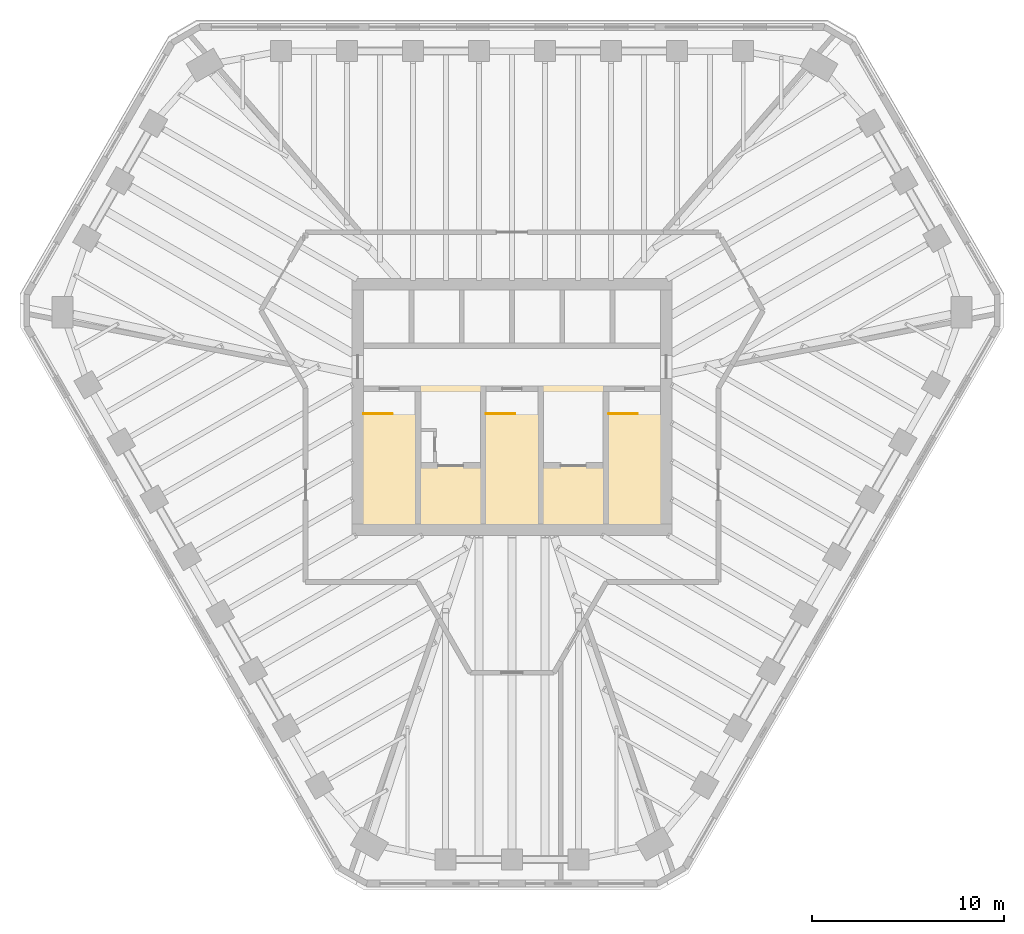
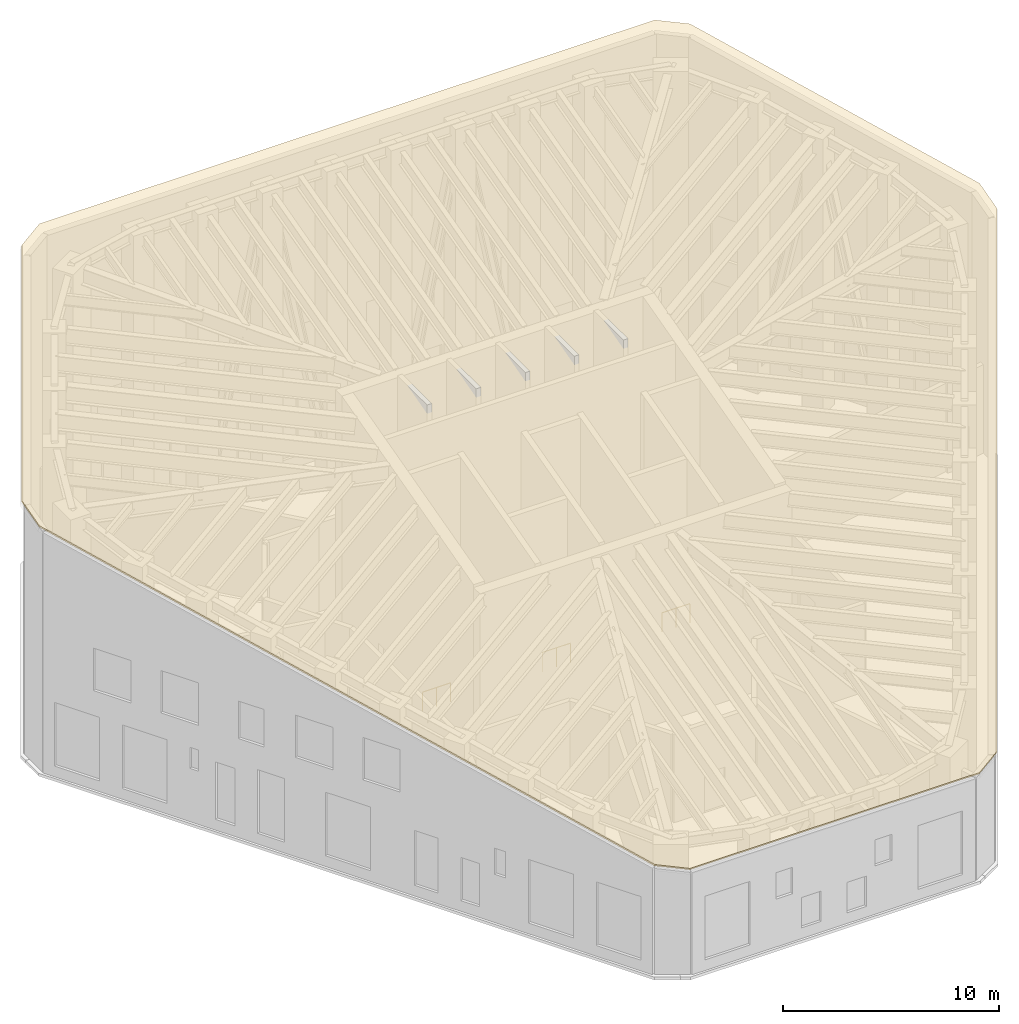
# One storey, part 9 of 9: 3 railings, 1 covering.
"""IFC4 building model written with IfcOpenShell, lengths in metres."""

from ifc_helpers import new_model, si_unit, direction, frame, origin, origin_2d, place, context, subcontext, project, spatial, polyline, circle, outline, extrude, material, layer, layer_set, type_object, element, save


model = new_model("IFC4")

# Units and contexts
model_context = context("Model", 3, precision=1e-05, world=origin(), true_north=direction((0.0, 1.0)))
body_context = subcontext(model_context, "Body", "Model", "MODEL_VIEW")
ifc_project = project(units=[si_unit("LENGTHUNIT", "METRE"), si_unit("AREAUNIT", "SQUARE_METRE"), si_unit("VOLUMEUNIT", "CUBIC_METRE"), si_unit("PLANEANGLEUNIT", "RADIAN"), si_unit("MASSUNIT", "GRAM", prefix="KILO")], contexts=[model_context])

# Site, building, storey
site_placement = place(None, origin())
site = spatial("IfcSite", under=ifc_project, at=site_placement, CompositionType="ELEMENT")
building_placement = place(site_placement, origin())
building = spatial("IfcBuilding", under=site, at=building_placement, Name="Sandreach Pilgrim Tower", CompositionType="ELEMENT")
storey_placement = place(building_placement, frame((0.0, 0.0, 298.800048828125)))
storey = spatial("IfcBuildingStorey", under=building, at=storey_placement, Name="L75", CompositionType="ELEMENT", Elevation=298.800048828125)

# Covering
ifc_material_1 = material(Name="Standing seam aluminium roofing over insulation", Category="aluminium")
ifc_layer = layer(ifc_material_1, 0.10009765625)
ifc_layer_set = layer_set([ifc_layer], Name="Crown roofing - standing seam over insulation")
covering_type = type_object("IfcCoveringType", Name="Crown roofing - standing seam over insulation", PredefinedType="ROOFING", material=ifc_layer_set)
covering_placement = place(storey_placement, frame((-16.458251953125, 20.076416015625, 18.22412109375), z_axis=(0.0, -0.258820711652, 0.965925379737), x_axis=(1.0, 0.0, 0.0)))
element("IfcCovering", 1, at=covering_placement, inside=storey, type_object=covering_type, Name="Crown roofing L75", PredefinedType="ROOFING", context=body_context, shape_type="SweptSolid", body=[
    extrude(outline(polyline([(0.0, 0.0), (32.91650390625, 0.0), (34.330810546875, -0.8455035580009546), (42.073974609375, -14.730202499718452), (42.073974609375, -16.420910605444142), (25.615966796875, -45.93307122530958), (24.201416015625, -46.77851159466024), (8.715087890625, -46.77851159466024), (7.300537109375, -45.93307122530958), (-9.157470703125, -16.420910605444142), (-9.157470703125, -14.730202499718452), (-1.414306640625, -0.8455035580009546), (0.0, 0.0)])), origin(), (0.0, 0.0, -1.0), 0.10009765625),
])

# Railings
ifc_material_2 = material(Name="Stainless steel tube", Category="steel")
railing_type = type_object("IfcRailingType", Name="Stair well guard", PredefinedType="GUARDRAIL", material=ifc_material_2)
for number, where, name in (
    (2, (-7.75, -0.35009765625, 0.0), "Stair well guard ST1 L75"),
    (3, (-1.35009765625, -0.35009765625, 0.0), "Stair well guard ST3 L75"),
    (4, (5.050048828125, -0.35009765625, 0.0), "Stair well guard ST2 L75"),
):
    element("IfcRailing", number, at=place(storey_placement, frame(where)), inside=storey, type_object=railing_type, Name=name, PredefinedType="GUARDRAIL", context=body_context, shape_type="SweptSolid", body=[
        extrude(circle(Radius=0.02392578125, at=origin_2d()), frame((0.0, 0.0, 1.076171875), z_axis=(1.0, 0.0, 0.0), x_axis=(0.0, 1.0, 0.0)), (0.0, 0.0, 1.0), 1.5),
        extrude(circle(Radius=0.02099609375, at=origin_2d()), origin(), (0.0, 0.0, 1.0), 1.052001953125),
        extrude(circle(Radius=0.02099609375, at=origin_2d()), frame((0.75, 0.0, 0.0)), (0.0, 0.0, 1.0), 1.052001953125),
        extrude(circle(Radius=0.02099609375, at=origin_2d()), frame((1.5, 0.0, 0.0)), (0.0, 0.0, 1.0), 1.052001953125),
    ])

save(model, "model.ifc")
